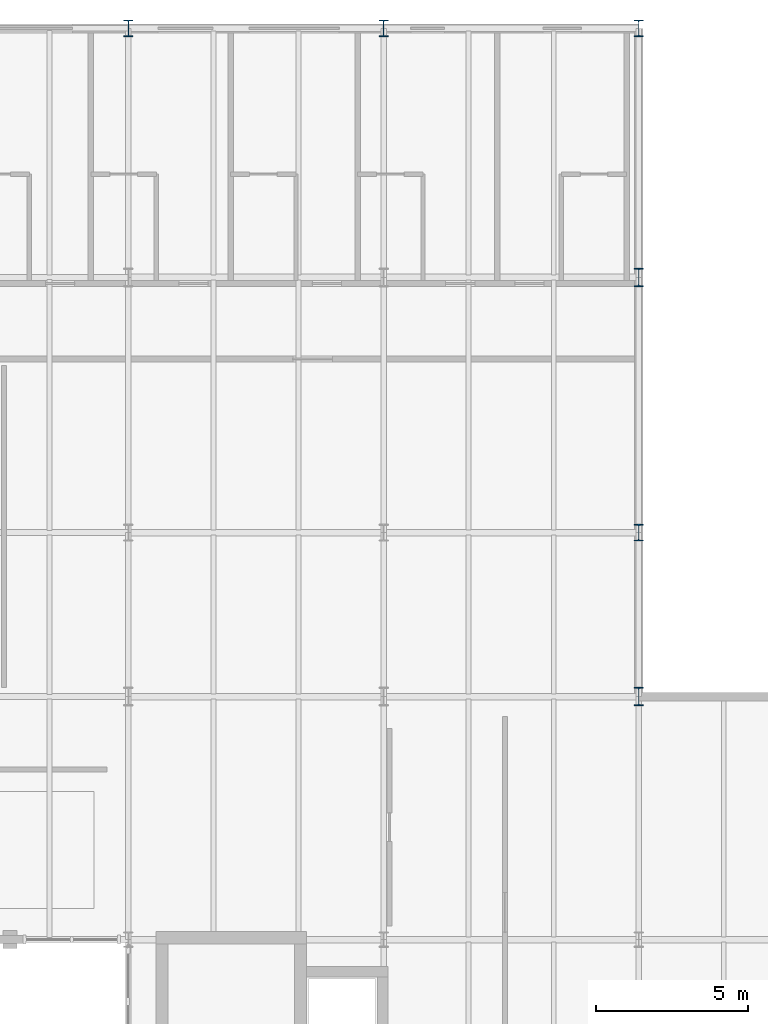
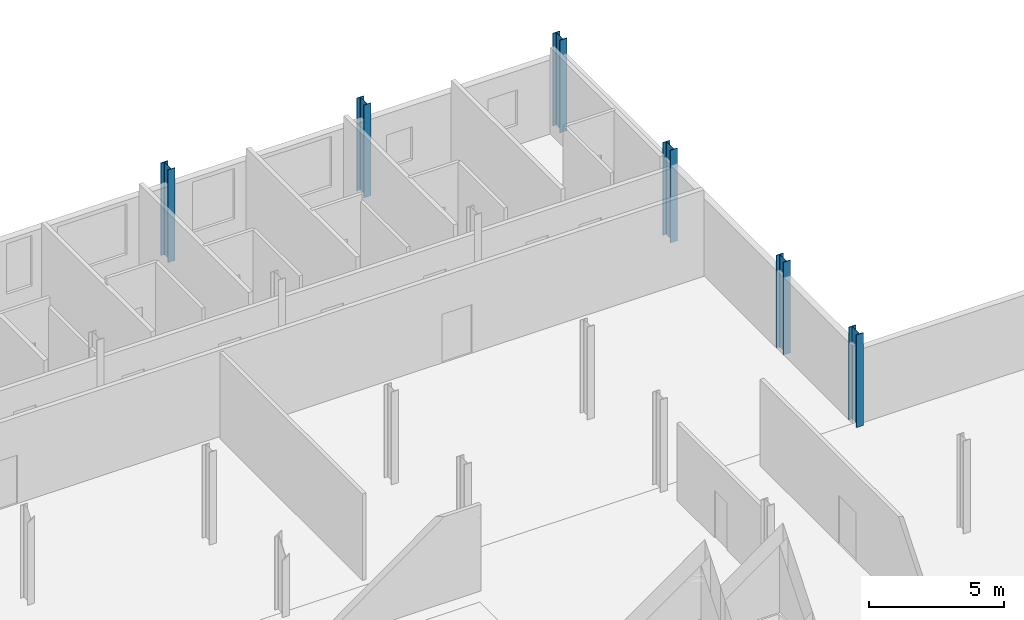
# One storey, part 9 of 58: 6 columns.
"""IFC4 building model written with IfcOpenShell, lengths in metres."""

from ifc_helpers import new_model, si_unit, direction, frame, origin, origin_2d, place, context, subcontext, project, spatial, i_section, extrude, material, material_profile, profile_set, type_object, element, save


model = new_model("IFC4")

# Units and contexts
model_context = context("Model", 3, precision=1e-05, world=origin(), true_north=direction((0.0, 1.0)))
body_context = subcontext(model_context, "Body", "Model", "MODEL_VIEW")
ifc_project = project(units=[si_unit("LENGTHUNIT", "METRE"), si_unit("AREAUNIT", "SQUARE_METRE"), si_unit("VOLUMEUNIT", "CUBIC_METRE"), si_unit("PLANEANGLEUNIT", "RADIAN"), si_unit("MASSUNIT", "GRAM", prefix="KILO")], contexts=[model_context])

# Site, building, storey
site_placement = place(None, origin())
site = spatial("IfcSite", under=ifc_project, at=site_placement, CompositionType="ELEMENT")
building_placement = place(site_placement, origin())
building = spatial("IfcBuilding", under=site, at=building_placement, Name="Sefraquen Railside Congress Hotel", CompositionType="ELEMENT")
storey_placement = place(building_placement, frame((0.0, 0.0, 16.199951171875)))
storey = spatial("IfcBuildingStorey", under=building, at=storey_placement, Name="L03", CompositionType="ELEMENT", Elevation=16.199951171875)

# Columns
ifc_material = material(Name="Steel S355JR", Category="steel")
ifc_material_profile_1 = material_profile(ifc_material, i_section(OverallWidth=0.300048828125, OverallDepth=0.550048828125, WebThickness=0.014892578125, FlangeThickness=0.029052734375, FilletRadius=0.027099609375, at=origin_2d()), Name="HEB 550")
ifc_profile_set_1 = profile_set([ifc_material_profile_1], Name="Steel S355JR")
column_type_1 = type_object("IfcColumnType", Name="TC-HEB-550", PredefinedType="COLUMN", material=ifc_profile_set_1)
for number, where, z_axis, x_axis, name in (
    (1, (103.199951171875, 118.0, 0.0), (0.0, 0.0, 1.0), (1.0, 0.0, 0.0), "Structural column 14-Q L03"),
    (2, (111.60009765625, 118.0, 0.0), (0.0, 0.0, 1.0), (1.0, 0.0, 0.0), "Structural column 15-Q L03"),
    (3, (120.0, 101.39990234375, 0.0), (0.0, 0.0, 1.0), (1.0, 0.0, 0.0), "Structural column 16-N L03"),
    (4, (120.0, 118.0, 0.0), (0.0, 0.0, 1.0), (1.0, 0.0, 0.0), "Structural column 16-Q L03"),
):
    element("IfcColumn", number, at=place(storey_placement, frame(where, z_axis=z_axis, x_axis=x_axis)), inside=storey, type_object=column_type_1, Name=name, PredefinedType="COLUMN", context=body_context, shape_type="SweptSolid", body=[
        extrude(i_section(OverallWidth=0.300048828125, OverallDepth=0.550048828125, WebThickness=0.014892578125, FlangeThickness=0.029052734375, FilletRadius=0.027099609375, at=origin_2d()), origin(), (0.0, 0.0, 1.0), 4.199951171875),
    ])
ifc_material_profile_2 = material_profile(ifc_material, i_section(OverallWidth=0.300048828125, OverallDepth=0.60009765625, WebThickness=0.015380859375, FlangeThickness=0.030029296875, FilletRadius=0.027099609375, at=origin_2d()), Name="HEB 600")
ifc_profile_set_2 = profile_set([ifc_material_profile_2], Name="Steel S355JR")
column_type_2 = type_object("IfcColumnType", Name="TC-HEB-600", PredefinedType="COLUMN", material=ifc_profile_set_2)
for number, where, z_axis, x_axis, name in (
    (5, (120.0, 96.0, 0.0), (0.0, 0.0, 1.0), (1.0, 0.0, 0.0), "Structural column 16-M L03"),
    (6, (120.0, 109.800048828125, 0.0), (0.0, 0.0, 1.0), (1.0, 0.0, 0.0), "Structural column 16-P L03"),
):
    element("IfcColumn", number, at=place(storey_placement, frame(where, z_axis=z_axis, x_axis=x_axis)), inside=storey, type_object=column_type_2, Name=name, PredefinedType="COLUMN", context=body_context, shape_type="SweptSolid", body=[
        extrude(i_section(OverallWidth=0.300048828125, OverallDepth=0.60009765625, WebThickness=0.015380859375, FlangeThickness=0.030029296875, FilletRadius=0.027099609375, at=origin_2d()), origin(), (0.0, 0.0, 1.0), 4.199951171875),
    ])

save(model, "model.ifc")
